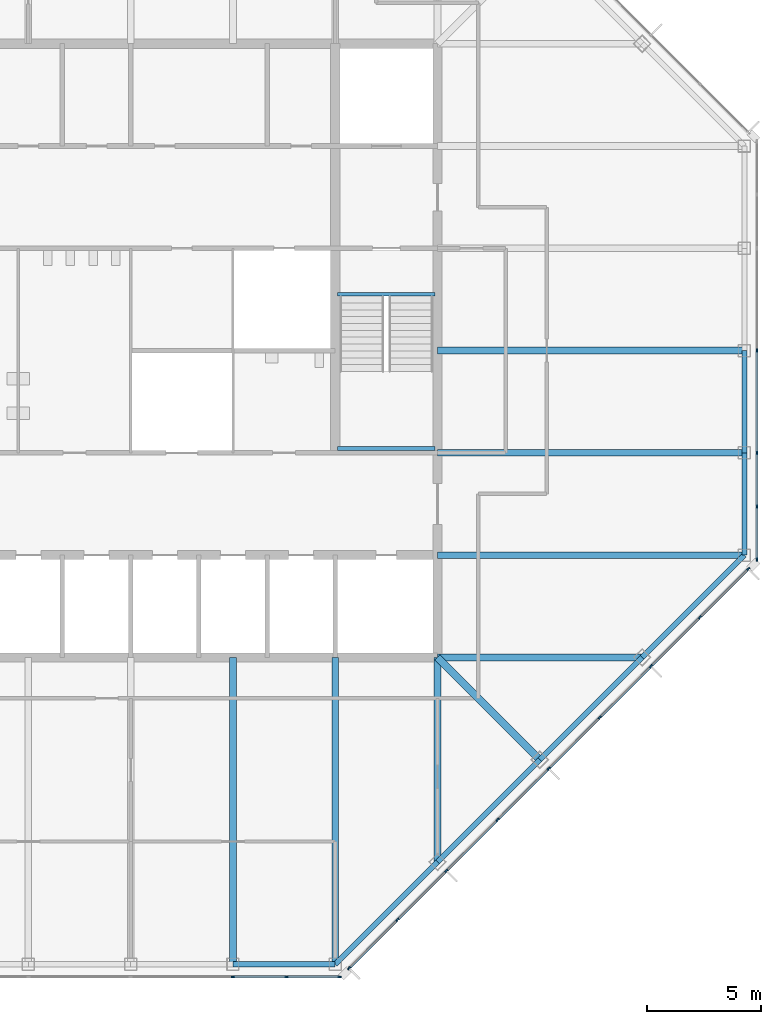
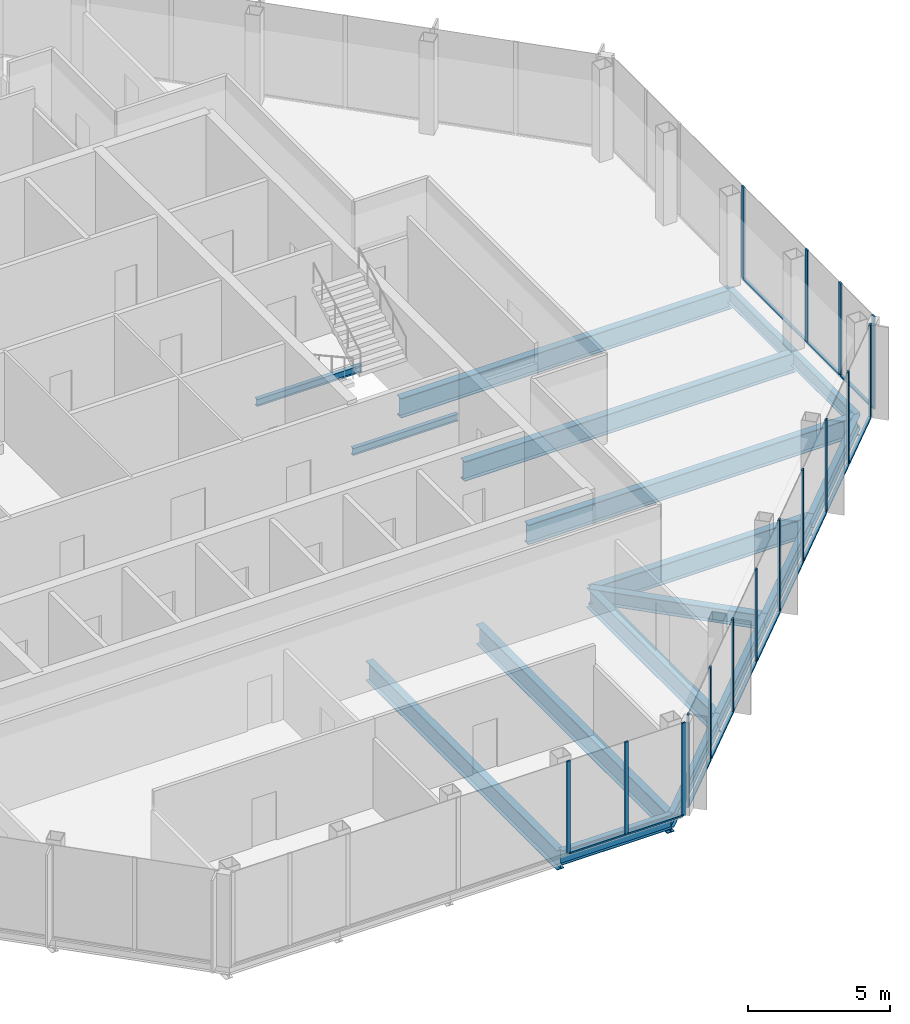
# One storey, part 4 of 13: 29 members, 17 beams, 3 elements without a shape of their own.
"""IFC4 building model written with IfcOpenShell, lengths in metres."""

from ifc_helpers import new_model, si_unit, direction, frame, origin, origin_2d, place, context, subcontext, project, spatial, rectangle, i_section, extrude, material, material_profile, profile_set, type_object, element, aggregate, save


model = new_model("IFC4")

# Units and contexts
model_context = context("Model", 3, precision=1e-05, world=origin(), true_north=direction((0.0, 1.0)))
body_context = subcontext(model_context, "Body", "Model", "MODEL_VIEW")
ifc_project = project(units=[si_unit("LENGTHUNIT", "METRE"), si_unit("AREAUNIT", "SQUARE_METRE"), si_unit("VOLUMEUNIT", "CUBIC_METRE"), si_unit("PLANEANGLEUNIT", "RADIAN"), si_unit("MASSUNIT", "GRAM", prefix="KILO")], contexts=[model_context])

# Site, building, storey
site_placement = place(None, origin())
site = spatial("IfcSite", under=ifc_project, at=site_placement, CompositionType="ELEMENT")
building_placement = place(site_placement, origin())
building = spatial("IfcBuilding", under=site, at=building_placement, Name="Corais Broadcast Tower", CompositionType="ELEMENT")
storey_placement = place(building_placement, frame((0.0, 0.0, 306.60009765625)))
storey = spatial("IfcBuildingStorey", under=building, at=storey_placement, Name="L72", CompositionType="ELEMENT", Elevation=306.60009765625)

# Beams
ifc_material_1 = material(Name="Steel ASTM A572 Grade 50", Category="steel")
ifc_material_profile_1 = material_profile(ifc_material_1, i_section(OverallWidth=0.323974609375, OverallDepth=0.611083984375, WebThickness=0.0126953125, FlangeThickness=0.01904296875, at=origin_2d()), Name="W610x155")
ifc_profile_set_1 = profile_set([ifc_material_profile_1], Name="Steel ASTM A572 Grade 50")
beam_type_1 = type_object("IfcBeamType", Name="Corner diagonal W610x155", PredefinedType="BEAM", material=ifc_profile_set_1)
beam_1_placement = place(storey_placement, frame((45.0, 9.0, -0.465576171875), z_axis=(-0.707106781187, 0.707106781187, 0.0), x_axis=(-0.707106781187, -0.707106781187, 0.0)))
element("IfcBeam", 1, at=beam_1_placement, inside=storey, type_object=beam_type_1, Name="B6 C/13 to D/12", PredefinedType="BEAM", context=body_context, shape_type="SweptSolid", body=[
    extrude(i_section(OverallWidth=0.323974609375, OverallDepth=0.611083984375, WebThickness=0.0126953125, FlangeThickness=0.01904296875, at=origin_2d()), origin(), (0.0, 0.0, 1.0), 6.364013671875),
])
ifc_material_2 = material(Name="Steel ASTM A572 Grade 50", Category="steel")
ifc_material_profile_2 = material_profile(ifc_material_2, i_section(OverallWidth=0.2939453125, OverallDepth=0.85107421875, WebThickness=0.01611328125, FlangeThickness=0.02685546875, at=origin_2d()), Name="W840x226")
ifc_profile_set_2 = profile_set([ifc_material_profile_2], Name="Steel ASTM A572 Grade 50")
beam_type_2 = type_object("IfcBeamType", Name="Floor beam W840x226", PredefinedType="BEAM", material=ifc_profile_set_2)
for number, where, z_axis, x_axis, name in (
    (2, (31.5, 0.0, -0.585693359375), (0.0, 1.0, 0.0), (-1.0, 0.0, 0.0), "B1 A/10 to D/10"),
    (3, (36.0, 0.0, -0.585693359375), (0.0, 1.0, 0.0), (-1.0, 0.0, 0.0), "B1 A/11 to D/11"),
):
    element("IfcBeam", number, at=place(storey_placement, frame(where, z_axis=z_axis, x_axis=x_axis)), inside=storey, type_object=beam_type_2, Name=name, PredefinedType="BEAM", context=body_context, shape_type="SweptSolid", body=[
        extrude(i_section(OverallWidth=0.2939453125, OverallDepth=0.85107421875, WebThickness=0.01611328125, FlangeThickness=0.02685546875, at=origin_2d()), origin(), (0.0, 0.0, 1.0), 13.5),
    ])
for number, where, z_axis, x_axis, name in (
    (4, (40.5, 4.5, -0.585693359375), (0.0, 1.0, 0.0), (-1.0, 0.0, 0.0), "B1 B/12 to D/12"),
    (5, (49.5, 13.5, -0.585693359375), (-1.0, 0.0, 0.0), (0.0, -1.0, 0.0), "B1 D/14 to D/12"),
):
    element("IfcBeam", number, at=place(storey_placement, frame(where, z_axis=z_axis, x_axis=x_axis)), inside=storey, type_object=beam_type_2, Name=name, PredefinedType="BEAM", context=body_context, shape_type="SweptSolid", body=[
        extrude(i_section(OverallWidth=0.2939453125, OverallDepth=0.85107421875, WebThickness=0.01611328125, FlangeThickness=0.02685546875, at=origin_2d()), origin(), (0.0, 0.0, 1.0), 9.0),
    ])
for number, where, z_axis, x_axis, name in (
    (6, (54.0, 18.0, -0.585693359375), (-1.0, 0.0, 0.0), (0.0, -1.0, 0.0), "B1 E/15 to E/12"),
    (7, (54.0, 22.5, -0.585693359375), (-1.0, 0.0, 0.0), (0.0, -1.0, 0.0), "B1 F/15 to F/12"),
    (8, (54.0, 27.0, -0.585693359375), (-1.0, 0.0, 0.0), (0.0, -1.0, 0.0), "B1 G/15 to G/12"),
):
    element("IfcBeam", number, at=place(storey_placement, frame(where, z_axis=z_axis, x_axis=x_axis)), inside=storey, type_object=beam_type_2, Name=name, PredefinedType="BEAM", context=body_context, shape_type="SweptSolid", body=[
        extrude(i_section(OverallWidth=0.2939453125, OverallDepth=0.85107421875, WebThickness=0.01611328125, FlangeThickness=0.02685546875, at=origin_2d()), origin(), (0.0, 0.0, 1.0), 13.5),
    ])
ifc_material_3 = material(Name="Steel ASTM A572 Grade 50", Category="steel")
ifc_material_profile_3 = material_profile(ifc_material_3, i_section(OverallWidth=0.1650390625, OverallDepth=0.31005859375, WebThickness=0.005859375, FlangeThickness=0.009765625, at=origin_2d()), Name="W310x38.7")
ifc_profile_set_3 = profile_set([ifc_material_profile_3], Name="Steel ASTM A572 Grade 50")
beam_type_3 = type_object("IfcBeamType", Name="Landing trimmer W310x38.7", PredefinedType="BEAM", material=ifc_profile_set_3)
for number, where, z_axis, x_axis, name in (
    (9, (36.10009765625, 29.47509765625, -0.35498046875), (1.0, 0.0, 0.0), (0.0, 1.0, 0.0), "LT1 stair B landing trimmer L72"),
    (10, (36.10009765625, 22.68994140625, 1.64501953125), (1.0, 0.0, 0.0), (0.0, 1.0, 0.0), "LT1 stair B half landing trimmer L72"),
):
    element("IfcBeam", number, at=place(storey_placement, frame(where, z_axis=z_axis, x_axis=x_axis)), inside=storey, type_object=beam_type_3, Name=name, PredefinedType="BEAM", context=body_context, shape_type="SweptSolid", body=[
        extrude(i_section(OverallWidth=0.1650390625, OverallDepth=0.31005859375, WebThickness=0.005859375, FlangeThickness=0.009765625, at=origin_2d()), origin(), (0.0, 0.0, 1.0), 4.2998046875),
    ])

# Curtain wall, members
ifc_material_4 = material(Name="Aluminium and glass", Category="aluminium")
curtain_wall_type = type_object("IfcCurtainWallType", Name="Unitised fritted curtain wall CW3", PredefinedType="NOTDEFINED", material=ifc_material_4)
curtain_wall_1_placement = place(storey_placement, origin())
curtain_wall_1 = element("IfcCurtainWall", 11, at=curtain_wall_1_placement, inside=storey, type_object=curtain_wall_type, Name="CW3 curtain wall L72 6", PredefinedType="NOTDEFINED")
ifc_material_5 = material(Name="Aluminium 6063-T6", Category="aluminium")
ifc_material_profile_4 = material_profile(ifc_material_5, rectangle(XDim=0.06494140625, YDim=0.159912109375, at=origin_2d()), Name="Mullion CW3 65x160")
ifc_profile_set_4 = profile_set([ifc_material_profile_4], Name="Aluminium 6063-T6")
member_type_1 = type_object("IfcMemberType", Name="Mullion CW3 65x160", PredefinedType="MULLION", material=ifc_profile_set_4)
member_1_placement = place(storey_placement, frame((54.550048828125, 27.0, 0.0), z_axis=(0.0, 0.0, 1.0), x_axis=(1.0, 0.0, 0.0)))
member_1 = element("IfcMember", 12, at=member_1_placement, type_object=member_type_1, Name="CW3 mullion 4", PredefinedType="MULLION", context=body_context, shape_type="SweptSolid", body=[
    extrude(rectangle(XDim=0.06494140625, YDim=0.159912109375, at=origin_2d()), origin(), (0.0, 0.0, 1.0), 4.0),
])
member_2_placement = place(storey_placement, frame((54.550048828125, 22.5, 0.0), z_axis=(0.0, 0.0, 1.0), x_axis=(1.0, 0.0, 0.0)))
member_2 = element("IfcMember", 13, at=member_2_placement, type_object=member_type_1, Name="CW3 mullion 5", PredefinedType="MULLION", context=body_context, shape_type="SweptSolid", body=[
    extrude(rectangle(XDim=0.06494140625, YDim=0.159912109375, at=origin_2d()), origin(), (0.0, 0.0, 1.0), 4.0),
])
member_3_placement = place(storey_placement, frame((54.550048828125, 20.135986328125, 0.0), z_axis=(0.0, 0.0, 1.0), x_axis=(1.0, 0.0, 0.0)))
member_3 = element("IfcMember", 14, at=member_3_placement, type_object=member_type_1, Name="CW3 mullion 6", PredefinedType="MULLION", context=body_context, shape_type="SweptSolid", body=[
    extrude(rectangle(XDim=0.06494140625, YDim=0.159912109375, at=origin_2d()), origin(), (0.0, 0.0, 1.0), 4.0),
])
member_4_placement = place(storey_placement, frame((54.550048828125, 17.8046875, 0.0), z_axis=(0.0, 0.0, 1.0), x_axis=(1.0, 0.0, 0.0)))
member_4 = element("IfcMember", 15, at=member_4_placement, type_object=member_type_1, Name="CW3 mullion 7", PredefinedType="MULLION", context=body_context, shape_type="SweptSolid", body=[
    extrude(rectangle(XDim=0.06494140625, YDim=0.159912109375, at=origin_2d()), origin(), (0.0, 0.0, 1.0), 4.0),
])

curtain_wall_2_placement = place(storey_placement, origin())
curtain_wall_2 = element("IfcCurtainWall", 16, at=curtain_wall_2_placement, inside=storey, type_object=curtain_wall_type, Name="CW3 curtain wall L72 7", PredefinedType="NOTDEFINED")
member_5_placement = place(storey_placement, frame((54.17333984375, 17.3955078125, 0.0), z_axis=(0.0, 0.0, 1.0), x_axis=(0.707106781187, -0.707106781187, 0.0)))
member_5 = element("IfcMember", 17, at=member_5_placement, type_object=member_type_1, Name="CW3 mullion 1", PredefinedType="MULLION", context=body_context, shape_type="SweptSolid", body=[
    extrude(rectangle(XDim=0.06494140625, YDim=0.159912109375, at=origin_2d()), origin(), (0.0, 0.0, 1.0), 4.0),
])
member_6_placement = place(storey_placement, frame((52.042724609375, 15.264892578125, 0.0), z_axis=(0.0, 0.0, 1.0), x_axis=(0.707106781187, -0.707106781187, 0.0)))
member_6 = element("IfcMember", 18, at=member_6_placement, type_object=member_type_1, Name="CW3 mullion 2", PredefinedType="MULLION", context=body_context, shape_type="SweptSolid", body=[
    extrude(rectangle(XDim=0.06494140625, YDim=0.159912109375, at=origin_2d()), origin(), (0.0, 0.0, 1.0), 4.0),
])
member_7_placement = place(storey_placement, frame((49.888916015625, 13.111083984375, 0.0), z_axis=(0.0, 0.0, 1.0), x_axis=(0.707106781187, -0.707106781187, 0.0)))
member_7 = element("IfcMember", 19, at=member_7_placement, type_object=member_type_1, Name="CW3 mullion 3", PredefinedType="MULLION", context=body_context, shape_type="SweptSolid", body=[
    extrude(rectangle(XDim=0.06494140625, YDim=0.159912109375, at=origin_2d()), origin(), (0.0, 0.0, 1.0), 4.0),
])
member_8_placement = place(storey_placement, frame((47.638916015625, 10.861083984375, 0.0), z_axis=(0.0, 0.0, 1.0), x_axis=(0.707106781187, -0.707106781187, 0.0)))
member_8 = element("IfcMember", 20, at=member_8_placement, type_object=member_type_1, Name="CW3 mullion 4", PredefinedType="MULLION", context=body_context, shape_type="SweptSolid", body=[
    extrude(rectangle(XDim=0.06494140625, YDim=0.159912109375, at=origin_2d()), origin(), (0.0, 0.0, 1.0), 4.0),
])
member_9_placement = place(storey_placement, frame((45.388916015625, 8.611083984375, 0.0), z_axis=(0.0, 0.0, 1.0), x_axis=(0.707106781187, -0.707106781187, 0.0)))
member_9 = element("IfcMember", 21, at=member_9_placement, type_object=member_type_1, Name="CW3 mullion 5", PredefinedType="MULLION", context=body_context, shape_type="SweptSolid", body=[
    extrude(rectangle(XDim=0.06494140625, YDim=0.159912109375, at=origin_2d()), origin(), (0.0, 0.0, 1.0), 4.0),
])
member_10_placement = place(storey_placement, frame((43.138916015625, 6.361083984375, 0.0), z_axis=(0.0, 0.0, 1.0), x_axis=(0.707106781187, -0.707106781187, 0.0)))
member_10 = element("IfcMember", 22, at=member_10_placement, type_object=member_type_1, Name="CW3 mullion 6", PredefinedType="MULLION", context=body_context, shape_type="SweptSolid", body=[
    extrude(rectangle(XDim=0.06494140625, YDim=0.159912109375, at=origin_2d()), origin(), (0.0, 0.0, 1.0), 4.0),
])
member_11_placement = place(storey_placement, frame((40.888916015625, 4.111083984375, 0.0), z_axis=(0.0, 0.0, 1.0), x_axis=(0.707106781187, -0.707106781187, 0.0)))
member_11 = element("IfcMember", 23, at=member_11_placement, type_object=member_type_1, Name="CW3 mullion 7", PredefinedType="MULLION", context=body_context, shape_type="SweptSolid", body=[
    extrude(rectangle(XDim=0.06494140625, YDim=0.159912109375, at=origin_2d()), origin(), (0.0, 0.0, 1.0), 4.0),
])
member_12_placement = place(storey_placement, frame((38.735107421875, 1.957275390625, 0.0), z_axis=(0.0, 0.0, 1.0), x_axis=(0.707106781187, -0.707106781187, 0.0)))
member_12 = element("IfcMember", 24, at=member_12_placement, type_object=member_type_1, Name="CW3 mullion 8", PredefinedType="MULLION", context=body_context, shape_type="SweptSolid", body=[
    extrude(rectangle(XDim=0.06494140625, YDim=0.159912109375, at=origin_2d()), origin(), (0.0, 0.0, 1.0), 4.0),
])
member_13_placement = place(storey_placement, frame((36.6044921875, -0.17333984375, 0.0), z_axis=(0.0, 0.0, 1.0), x_axis=(0.707106781187, -0.707106781187, 0.0)))
member_13 = element("IfcMember", 25, at=member_13_placement, type_object=member_type_1, Name="CW3 mullion 9", PredefinedType="MULLION", context=body_context, shape_type="SweptSolid", body=[
    extrude(rectangle(XDim=0.06494140625, YDim=0.159912109375, at=origin_2d()), origin(), (0.0, 0.0, 1.0), 4.0),
])

curtain_wall_3_placement = place(storey_placement, origin())
curtain_wall_3 = element("IfcCurtainWall", 26, at=curtain_wall_3_placement, inside=storey, type_object=curtain_wall_type, Name="CW3 curtain wall L72 8", PredefinedType="NOTDEFINED")
member_14_placement = place(storey_placement, frame((36.1953125, -0.550048828125, 0.0), z_axis=(0.0, 0.0, 1.0), x_axis=(0.0, -1.0, 0.0)))
member_14 = element("IfcMember", 27, at=member_14_placement, type_object=member_type_1, Name="CW3 mullion 1", PredefinedType="MULLION", context=body_context, shape_type="SweptSolid", body=[
    extrude(rectangle(XDim=0.06494140625, YDim=0.159912109375, at=origin_2d()), origin(), (0.0, 0.0, 1.0), 4.0),
])
member_15_placement = place(storey_placement, frame((33.864013671875, -0.550048828125, 0.0), z_axis=(0.0, 0.0, 1.0), x_axis=(0.0, -1.0, 0.0)))
member_15 = element("IfcMember", 28, at=member_15_placement, type_object=member_type_1, Name="CW3 mullion 2", PredefinedType="MULLION", context=body_context, shape_type="SweptSolid", body=[
    extrude(rectangle(XDim=0.06494140625, YDim=0.159912109375, at=origin_2d()), origin(), (0.0, 0.0, 1.0), 4.0),
])
member_16_placement = place(storey_placement, frame((31.5, -0.550048828125, 0.0), z_axis=(0.0, 0.0, 1.0), x_axis=(0.0, -1.0, 0.0)))
member_16 = element("IfcMember", 29, at=member_16_placement, type_object=member_type_1, Name="CW3 mullion 3", PredefinedType="MULLION", context=body_context, shape_type="SweptSolid", body=[
    extrude(rectangle(XDim=0.06494140625, YDim=0.159912109375, at=origin_2d()), origin(), (0.0, 0.0, 1.0), 4.0),
])

# Beams
ifc_material_6 = material(Name="Steel ASTM A572 Grade 50", Category="steel")
ifc_material_profile_5 = material_profile(ifc_material_6, i_section(OverallWidth=0.22998046875, OverallDepth=0.616943359375, WebThickness=0.01318359375, FlangeThickness=0.022216796875, at=origin_2d()), Name="W610x140")
ifc_profile_set_5 = profile_set([ifc_material_profile_5], Name="Steel ASTM A572 Grade 50")
beam_type_4 = type_object("IfcBeamType", Name="Spandrel W610x140", PredefinedType="BEAM", material=ifc_profile_set_5)
beam_2_placement = place(storey_placement, frame((31.5, 0.0, -0.468505859375), z_axis=(1.0, 0.0, 0.0), x_axis=(0.0, 1.0, 0.0)))
element("IfcBeam", 30, at=beam_2_placement, inside=storey, type_object=beam_type_4, Name="SB3 A/10 to A/11", PredefinedType="BEAM", context=body_context, shape_type="SweptSolid", body=[
    extrude(i_section(OverallWidth=0.22998046875, OverallDepth=0.616943359375, WebThickness=0.01318359375, FlangeThickness=0.022216796875, at=origin_2d()), origin(), (0.0, 0.0, 1.0), 4.5),
])
for number, where, z_axis, x_axis, name in (
    (31, (36.0, 0.0, -0.468505859375), (0.707106781187, 0.707106781187, 0.0), (-0.707106781187, 0.707106781187, 0.0), "SB3 A/11 to B/12"),
    (32, (40.5, 4.5, -0.468505859375), (0.707106781187, 0.707106781187, 0.0), (-0.707106781187, 0.707106781187, 0.0), "SB3 B/12 to C/13"),
    (33, (45.0, 9.0, -0.468505859375), (0.707106781187, 0.707106781187, 0.0), (-0.707106781187, 0.707106781187, 0.0), "SB3 C/13 to D/14"),
    (34, (49.5, 13.5, -0.468505859375), (0.707106781187, 0.707106781187, 0.0), (-0.707106781187, 0.707106781187, 0.0), "SB3 D/14 to E/15"),
):
    element("IfcBeam", number, at=place(storey_placement, frame(where, z_axis=z_axis, x_axis=x_axis)), inside=storey, type_object=beam_type_4, Name=name, PredefinedType="BEAM", context=body_context, shape_type="SweptSolid", body=[
        extrude(i_section(OverallWidth=0.22998046875, OverallDepth=0.616943359375, WebThickness=0.01318359375, FlangeThickness=0.022216796875, at=origin_2d()), origin(), (0.0, 0.0, 1.0), 6.364013671875),
    ])
for number, where, z_axis, x_axis, name in (
    (35, (54.0, 18.0, -0.468505859375), (0.0, 1.0, 0.0), (-1.0, 0.0, 0.0), "SB3 E/15 to F/15"),
    (36, (54.0, 22.5, -0.468505859375), (0.0, 1.0, 0.0), (-1.0, 0.0, 0.0), "SB3 F/15 to G/15"),
):
    element("IfcBeam", number, at=place(storey_placement, frame(where, z_axis=z_axis, x_axis=x_axis)), inside=storey, type_object=beam_type_4, Name=name, PredefinedType="BEAM", context=body_context, shape_type="SweptSolid", body=[
        extrude(i_section(OverallWidth=0.22998046875, OverallDepth=0.616943359375, WebThickness=0.01318359375, FlangeThickness=0.022216796875, at=origin_2d()), origin(), (0.0, 0.0, 1.0), 4.5),
    ])

# Member
ifc_material_7 = material(Name="Aluminium 6063-T6", Category="aluminium")
ifc_material_profile_6 = material_profile(ifc_material_7, rectangle(XDim=0.1201171875, YDim=0.06494140625, at=origin_2d()), Name="Transom CW3 65x120")
ifc_profile_set_6 = profile_set([ifc_material_profile_6], Name="Aluminium 6063-T6")
member_type_2 = type_object("IfcMemberType", Name="Transom CW3 65x120", PredefinedType="USERDEFINED", material=ifc_profile_set_6)
member_17_placement = place(storey_placement, frame((54.550048828125, 26.967529296875, 0.032470703125), z_axis=(0.0, -1.0, 0.0), x_axis=(1.0, 0.0, 0.0)))
member_17 = element("IfcMember", 37, at=member_17_placement, type_object=member_type_2, Name="CW3 transom 4.1", ObjectType="TRANSOM", PredefinedType="USERDEFINED", context=body_context, shape_type="SweptSolid", body=[
    extrude(rectangle(XDim=0.1201171875, YDim=0.06494140625, at=origin_2d()), origin(), (0.0, 0.0, 1.0), 4.43505859375),
])

member_18_placement = place(storey_placement, frame((54.550048828125, 22.467529296875, 0.032470703125), z_axis=(0.0, -1.0, 0.0), x_axis=(1.0, 0.0, 0.0)))
member_18 = element("IfcMember", 38, at=member_18_placement, type_object=member_type_2, Name="CW3 transom 5.1", ObjectType="TRANSOM", PredefinedType="USERDEFINED", context=body_context, shape_type="SweptSolid", body=[
    extrude(rectangle(XDim=0.1201171875, YDim=0.06494140625, at=origin_2d()), origin(), (0.0, 0.0, 1.0), 2.298828125),
])

member_19_placement = place(storey_placement, frame((54.550048828125, 20.103515625, 0.032470703125), z_axis=(0.0, -1.0, 0.0), x_axis=(1.0, 0.0, 0.0)))
member_19 = element("IfcMember", 39, at=member_19_placement, type_object=member_type_2, Name="CW3 transom 6.1", ObjectType="TRANSOM", PredefinedType="USERDEFINED", context=body_context, shape_type="SweptSolid", body=[
    extrude(rectangle(XDim=0.1201171875, YDim=0.06494140625, at=origin_2d()), origin(), (0.0, 0.0, 1.0), 2.266357421875),
])

aggregate(curtain_wall_1, [member_1, member_2, member_3, member_4, member_17, member_18, member_19])

member_20_placement = place(storey_placement, frame((54.150390625, 17.37255859375, 0.032470703125), z_axis=(-0.707106781187, -0.707106781187, 0.0), x_axis=(0.707106781187, -0.707106781187, 0.0)))
member_20 = element("IfcMember", 40, at=member_20_placement, type_object=member_type_2, Name="CW3 transom 1.1", ObjectType="TRANSOM", PredefinedType="USERDEFINED", context=body_context, shape_type="SweptSolid", body=[
    extrude(rectangle(XDim=0.1201171875, YDim=0.06494140625, at=origin_2d()), origin(), (0.0, 0.0, 1.0), 2.9482421875),
])

member_21_placement = place(storey_placement, frame((52.019775390625, 15.241943359375, 0.032470703125), z_axis=(-0.707106781187, -0.707106781187, 0.0), x_axis=(0.707106781187, -0.707106781187, 0.0)))
member_21 = element("IfcMember", 41, at=member_21_placement, type_object=member_type_2, Name="CW3 transom 2.1", ObjectType="TRANSOM", PredefinedType="USERDEFINED", context=body_context, shape_type="SweptSolid", body=[
    extrude(rectangle(XDim=0.1201171875, YDim=0.06494140625, at=origin_2d()), origin(), (0.0, 0.0, 1.0), 2.98095703125),
])

member_22_placement = place(storey_placement, frame((49.865966796875, 13.088134765625, 0.032470703125), z_axis=(-0.707106781187, -0.707106781187, 0.0), x_axis=(0.707106781187, -0.707106781187, 0.0)))
member_22 = element("IfcMember", 42, at=member_22_placement, type_object=member_type_2, Name="CW3 transom 3.1", ObjectType="TRANSOM", PredefinedType="USERDEFINED", context=body_context, shape_type="SweptSolid", body=[
    extrude(rectangle(XDim=0.1201171875, YDim=0.06494140625, at=origin_2d()), origin(), (0.0, 0.0, 1.0), 3.1171875),
])

member_23_placement = place(storey_placement, frame((47.615966796875, 10.838134765625, 0.032470703125), z_axis=(-0.707106781187, -0.707106781187, 0.0), x_axis=(0.707106781187, -0.707106781187, 0.0)))
member_23 = element("IfcMember", 43, at=member_23_placement, type_object=member_type_2, Name="CW3 transom 4.1", ObjectType="TRANSOM", PredefinedType="USERDEFINED", context=body_context, shape_type="SweptSolid", body=[
    extrude(rectangle(XDim=0.1201171875, YDim=0.06494140625, at=origin_2d()), origin(), (0.0, 0.0, 1.0), 3.1171875),
])

member_24_placement = place(storey_placement, frame((45.365966796875, 8.588134765625, 0.032470703125), z_axis=(-0.707106781187, -0.707106781187, 0.0), x_axis=(0.707106781187, -0.707106781187, 0.0)))
member_24 = element("IfcMember", 44, at=member_24_placement, type_object=member_type_2, Name="CW3 transom 5.1", ObjectType="TRANSOM", PredefinedType="USERDEFINED", context=body_context, shape_type="SweptSolid", body=[
    extrude(rectangle(XDim=0.1201171875, YDim=0.06494140625, at=origin_2d()), origin(), (0.0, 0.0, 1.0), 3.1171875),
])

member_25_placement = place(storey_placement, frame((43.115966796875, 6.338134765625, 0.032470703125), z_axis=(-0.707106781187, -0.707106781187, 0.0), x_axis=(0.707106781187, -0.707106781187, 0.0)))
member_25 = element("IfcMember", 45, at=member_25_placement, type_object=member_type_2, Name="CW3 transom 6.1", ObjectType="TRANSOM", PredefinedType="USERDEFINED", context=body_context, shape_type="SweptSolid", body=[
    extrude(rectangle(XDim=0.1201171875, YDim=0.06494140625, at=origin_2d()), origin(), (0.0, 0.0, 1.0), 3.1171875),
])

member_26_placement = place(storey_placement, frame((40.865966796875, 4.088134765625, 0.032470703125), z_axis=(-0.70714773134, -0.707065828661, 0.0), x_axis=(0.707065828661, -0.70714773134, 0.0)))
member_26 = element("IfcMember", 46, at=member_26_placement, type_object=member_type_2, Name="CW3 transom 7.1", ObjectType="TRANSOM", PredefinedType="USERDEFINED", context=body_context, shape_type="SweptSolid", body=[
    extrude(rectangle(XDim=0.1201171875, YDim=0.06494140625, at=origin_2d()), origin(), (0.0, 0.0, 1.0), 2.98095703125),
])

member_27_placement = place(storey_placement, frame((38.712158203125, 1.934326171875, 0.032470703125), z_axis=(-0.707106781187, -0.707106781187, 0.0), x_axis=(0.707106781187, -0.707106781187, 0.0)))
member_27 = element("IfcMember", 47, at=member_27_placement, type_object=member_type_2, Name="CW3 transom 8.1", ObjectType="TRANSOM", PredefinedType="USERDEFINED", context=body_context, shape_type="SweptSolid", body=[
    extrude(rectangle(XDim=0.1201171875, YDim=0.06494140625, at=origin_2d()), origin(), (0.0, 0.0, 1.0), 2.9482421875),
])

aggregate(curtain_wall_2, [member_5, member_6, member_7, member_8, member_9, member_10, member_11, member_12, member_13, member_20, member_21, member_22, member_23, member_24, member_25, member_26, member_27])

member_28_placement = place(storey_placement, frame((36.162841796875, -0.550048828125, 0.032470703125), z_axis=(-1.0, 0.0, 0.0), x_axis=(0.0, -1.0, 0.0)))
member_28 = element("IfcMember", 48, at=member_28_placement, type_object=member_type_2, Name="CW3 transom 1.1", ObjectType="TRANSOM", PredefinedType="USERDEFINED", context=body_context, shape_type="SweptSolid", body=[
    extrude(rectangle(XDim=0.1201171875, YDim=0.06494140625, at=origin_2d()), origin(), (0.0, 0.0, 1.0), 2.266357421875),
])

member_29_placement = place(storey_placement, frame((33.831298828125, -0.550048828125, 0.032470703125), z_axis=(-1.0, 0.0, 0.0), x_axis=(0.0, -1.0, 0.0)))
member_29 = element("IfcMember", 49, at=member_29_placement, type_object=member_type_2, Name="CW3 transom 2.1", ObjectType="TRANSOM", PredefinedType="USERDEFINED", context=body_context, shape_type="SweptSolid", body=[
    extrude(rectangle(XDim=0.1201171875, YDim=0.06494140625, at=origin_2d()), origin(), (0.0, 0.0, 1.0), 2.298828125),
])

aggregate(curtain_wall_3, [member_14, member_15, member_16, member_28, member_29])

save(model, "model.ifc")
